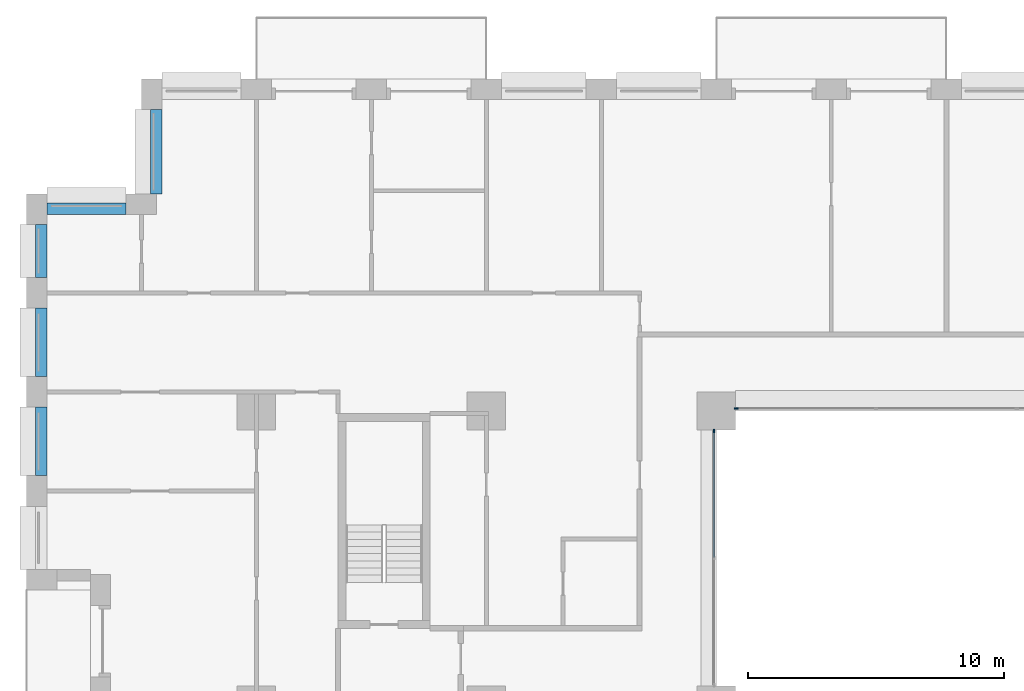
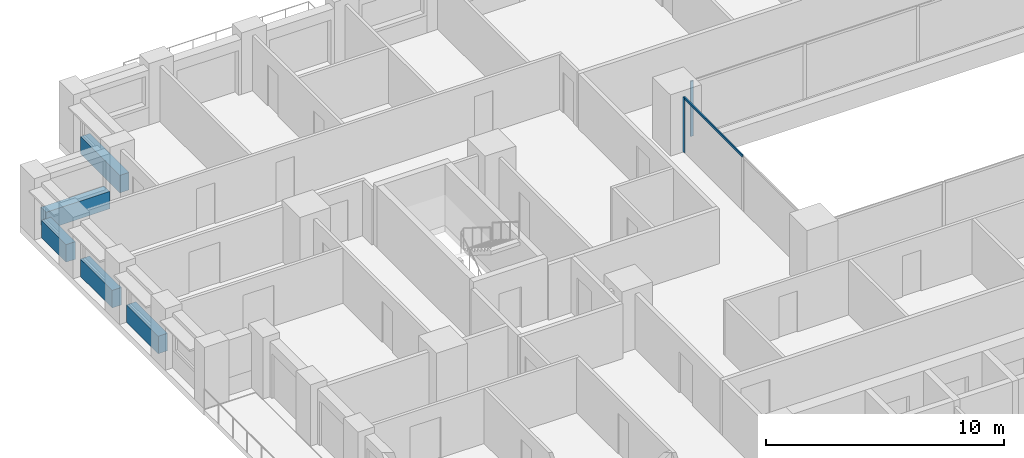
# One storey, part 5 of 19: 5 beams, 3 members, 2 elements without a shape of their own.
"""IFC4 building model written with IfcOpenShell, lengths in metres."""

from ifc_helpers import new_model, si_unit, direction, frame, origin, origin_2d, place, context, subcontext, project, spatial, rectangle, extrude, material, layer, layer_set, material_profile, profile_set, type_object, element, aggregate, save


model = new_model("IFC4")

# Units and contexts
model_context = context("Model", 3, precision=1e-05, world=origin(), true_north=direction((0.0, 1.0)))
body_context = subcontext(model_context, "Body", "Model", "MODEL_VIEW")
ifc_project = project(units=[si_unit("LENGTHUNIT", "METRE"), si_unit("AREAUNIT", "SQUARE_METRE"), si_unit("VOLUMEUNIT", "CUBIC_METRE"), si_unit("PLANEANGLEUNIT", "RADIAN"), si_unit("MASSUNIT", "GRAM", prefix="KILO")], contexts=[model_context])

# Site, building, storey
site_placement = place(None, origin())
site = spatial("IfcSite", under=ifc_project, at=site_placement, CompositionType="ELEMENT")
building_placement = place(site_placement, origin())
building = spatial("IfcBuilding", under=site, at=building_placement, Name="Brigalow Station Residences", CompositionType="ELEMENT")
storey_placement = place(building_placement, frame((0.0, 0.0, 25.800048828125)))
storey = spatial("IfcBuildingStorey", under=building, at=storey_placement, Name="L06", CompositionType="ELEMENT", Elevation=25.800048828125)

# Curtain wall, member
ifc_material_1 = material(Name="Aluminium", Category="aluminium")
ifc_layer = layer(ifc_material_1, 0.14990234375)
ifc_layer_set = layer_set([ifc_layer], Name="ATRIUM FIRE-RATED GLAZING CURTAIN WALL")
curtain_wall_type = type_object("IfcCurtainWallType", Name="ATRIUM FIRE-RATED GLAZING CURTAIN WALL", PredefinedType="NOTDEFINED", material=ifc_layer_set)
curtain_wall_1_placement = place(storey_placement, origin())
curtain_wall_1 = element("IfcCurtainWall", 1, at=curtain_wall_1_placement, inside=storey, type_object=curtain_wall_type, Name="L06/cw/atrium-N", PredefinedType="NOTDEFINED")
ifc_material_2 = material(Name="Aluminium", Category="aluminium")
ifc_material_profile_1 = material_profile(ifc_material_2, rectangle(XDim=0.06005859375, YDim=0.14990234375, at=origin_2d()), Name="ATRIUM FIRE-RATED GLAZING MULLION 60x150")
ifc_profile_set_1 = profile_set([ifc_material_profile_1], Name="Aluminium")
member_type_1 = type_object("IfcMemberType", Name="ATRIUM FIRE-RATED GLAZING MULLION 60x150", PredefinedType="MULLION", material=ifc_profile_set_1)
member_1_placement = place(storey_placement, frame((27.780029296875, 35.60009765625, 0.0), z_axis=(0.0, 0.0, 1.0), x_axis=(0.0, -1.0, 0.0)))
member_1 = element("IfcMember", 2, at=member_1_placement, type_object=member_type_1, Name="L06/cw/atrium-N/M03", PredefinedType="MULLION", context=body_context, shape_type="SweptSolid", body=[
    extrude(rectangle(XDim=0.06005859375, YDim=0.14990234375, at=origin_2d()), origin(), (0.0, 0.0, 1.0), 2.829833984375),
])
aggregate(curtain_wall_1, [member_1])

# Curtain wall, members
curtain_wall_2_placement = place(storey_placement, origin())
curtain_wall_2 = element("IfcCurtainWall", 3, at=curtain_wall_2_placement, inside=storey, type_object=curtain_wall_type, Name="L06/cw/atrium-W", PredefinedType="NOTDEFINED")
member_2_placement = place(storey_placement, frame((26.89990234375, 34.719970703125, 0.0), z_axis=(0.0, 0.0, 1.0), x_axis=(1.0, 0.0, 0.0)))
member_2 = element("IfcMember", 4, at=member_2_placement, type_object=member_type_1, Name="L06/cw/atrium-W/M00", PredefinedType="MULLION", context=body_context, shape_type="SweptSolid", body=[
    extrude(rectangle(XDim=0.06005859375, YDim=0.14990234375, at=origin_2d()), origin(), (0.0, 0.0, 1.0), 2.829833984375),
])
ifc_material_3 = material(Name="Aluminium", Category="aluminium")
ifc_material_profile_2 = material_profile(ifc_material_3, rectangle(XDim=0.06005859375, YDim=0.1201171875, at=origin_2d()), Name="ATRIUM FIRE-RATED GLAZING TRANSOM 60x120")
ifc_profile_set_2 = profile_set([ifc_material_profile_2], Name="Aluminium")
member_type_2 = type_object("IfcMemberType", Name="ATRIUM FIRE-RATED GLAZING TRANSOM 60x120", PredefinedType="USERDEFINED", material=ifc_profile_set_2)
member_3_placement = place(storey_placement, frame((26.89990234375, 34.68994140625, 2.800048828125), z_axis=(0.0, -1.0, 0.0), x_axis=(1.0, 0.0, 0.0)))
member_3 = element("IfcMember", 5, at=member_3_placement, type_object=member_type_2, Name="L06/cw/atrium-W/T00-00", ObjectType="TRANSOM", PredefinedType="USERDEFINED", context=body_context, shape_type="SweptSolid", body=[
    extrude(rectangle(XDim=0.06005859375, YDim=0.1201171875, at=origin_2d()), origin(), (0.0, 0.0, 1.0), 4.909912109375),
])
aggregate(curtain_wall_2, [member_2, member_3])

# Beams
ifc_material_4 = material(Name="Concrete C65", Category="concrete")
ifc_material_profile_3 = material_profile(ifc_material_4, rectangle(XDim=0.449951171875, YDim=0.89990234375, at=origin_2d()), Name="RC450x900")
ifc_profile_set_3 = profile_set([ifc_material_profile_3], Name="Concrete C65")
beam_type = type_object("IfcBeamType", Name="SPANDREL BEAM 450x900 C65", PredefinedType="SPANDREL", material=ifc_profile_set_3)
beam_1_placement = place(storey_placement, frame((5.074951171875, 47.300048828125, 0.449951171875), z_axis=(0.0, -1.0, 0.0), x_axis=(1.0, 0.0, 0.0)))
element("IfcBeam", 6, at=beam_1_placement, inside=storey, type_object=beam_type, Name="L06/spandrel/W-L06-40", PredefinedType="SPANDREL", context=body_context, shape_type="SweptSolid", body=[
    extrude(rectangle(XDim=0.449951171875, YDim=0.89990234375, at=origin_2d()), origin(), (0.0, 0.0, 1.0), 3.300048828125),
])
beam_2_placement = place(storey_placement, frame((3.89990234375, 43.425048828125, 0.449951171875), z_axis=(-1.0, 0.0, 0.0), x_axis=(0.0, -1.0, 0.0)))
element("IfcBeam", 7, at=beam_2_placement, inside=storey, type_object=beam_type, Name="L06/spandrel/W-L06-41", PredefinedType="SPANDREL", context=body_context, shape_type="SweptSolid", body=[
    extrude(rectangle(XDim=0.449951171875, YDim=0.89990234375, at=origin_2d()), origin(), (0.0, 0.0, 1.0), 3.099853515625),
])
beam_3_placement = place(storey_placement, frame((0.574951171875, 42.800048828125, 0.449951171875), z_axis=(0.0, -1.0, 0.0), x_axis=(1.0, 0.0, 0.0)))
element("IfcBeam", 8, at=beam_3_placement, inside=storey, type_object=beam_type, Name="L06/spandrel/W-L06-42", PredefinedType="SPANDREL", context=body_context, shape_type="SweptSolid", body=[
    extrude(rectangle(XDim=0.449951171875, YDim=0.89990234375, at=origin_2d()), origin(), (0.0, 0.0, 1.0), 2.074951171875),
])
for number, where, z_axis, x_axis, name in (
    (9, (0.574951171875, 39.52490234375, 0.449951171875), (0.0, -1.0, 0.0), (1.0, 0.0, 0.0), "L06/spandrel/W-L06-43"),
    (10, (0.574951171875, 35.64990234375, 0.449951171875), (0.0, -1.0, 0.0), (1.0, 0.0, 0.0), "L06/spandrel/W-L06-44"),
):
    element("IfcBeam", number, at=place(storey_placement, frame(where, z_axis=z_axis, x_axis=x_axis)), inside=storey, type_object=beam_type, Name=name, PredefinedType="SPANDREL", context=body_context, shape_type="SweptSolid", body=[
        extrude(rectangle(XDim=0.449951171875, YDim=0.89990234375, at=origin_2d()), origin(), (0.0, 0.0, 1.0), 2.6748046875),
    ])

save(model, "model.ifc")
